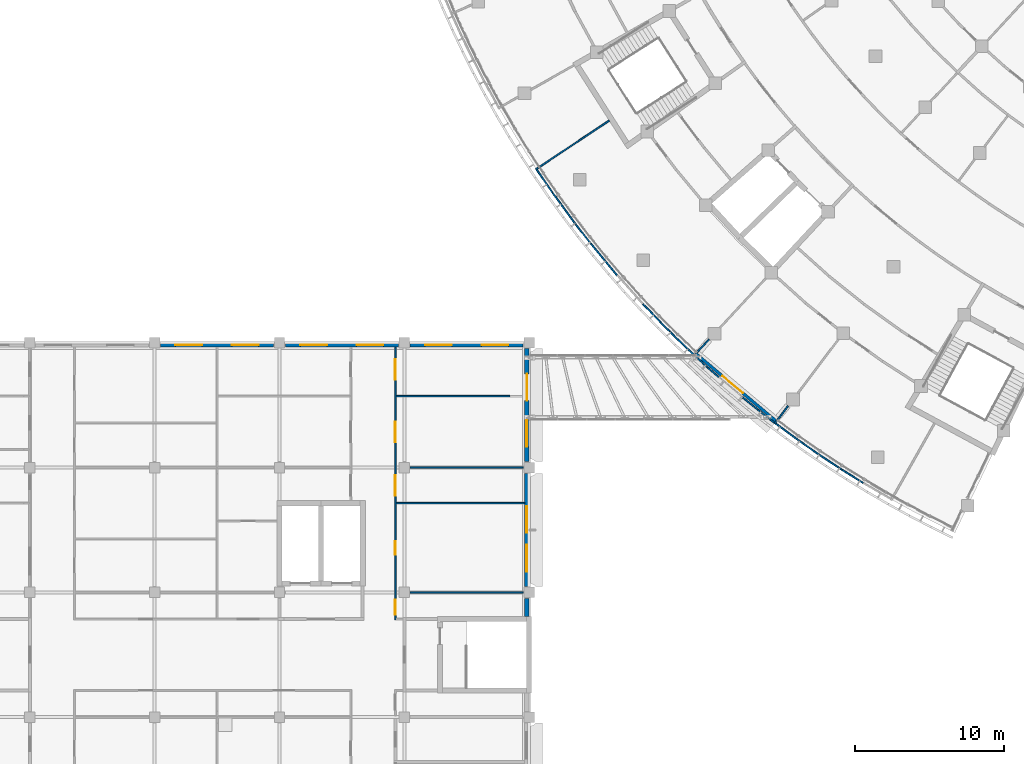
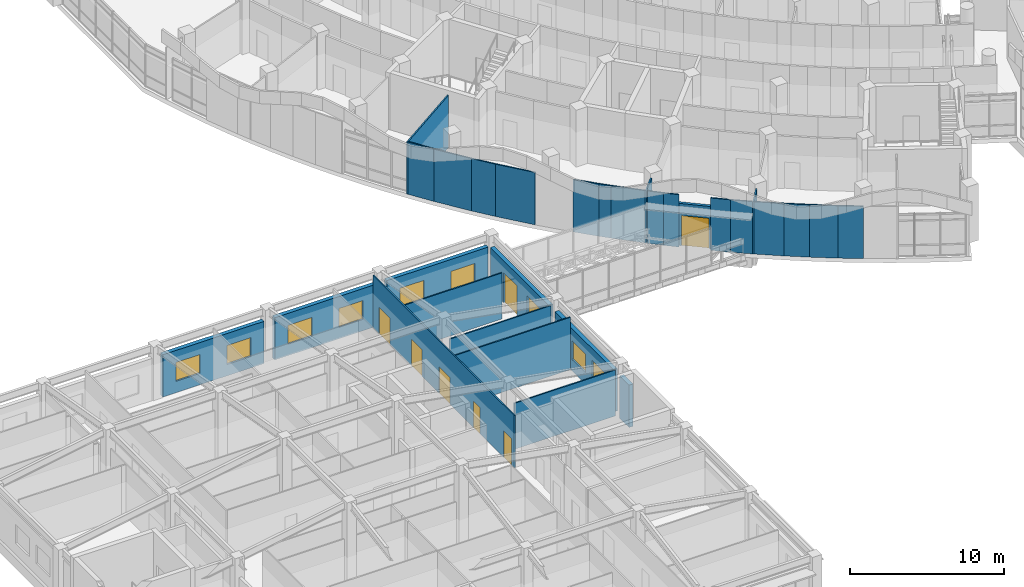
# One storey, part 59 of 136: 30 walls, 9 windows, 7 doors, 16 openings.
"""IFC4 building model written with IfcOpenShell, lengths in metres."""

from ifc_helpers import new_model, si_unit, direction, frame, frame_2d, origin, place, context, subcontext, project, spatial, rectangle, extrude, material, layer, layer_set, type_object, element, fill, save


model = new_model("IFC4")

# Units and contexts
model_context = context("Model", 3, precision=1e-05, world=origin(), true_north=direction((0.0, 1.0)))
body_context = subcontext(model_context, "Body", "Model", "MODEL_VIEW")
ifc_project = project(units=[si_unit("LENGTHUNIT", "METRE"), si_unit("AREAUNIT", "SQUARE_METRE"), si_unit("VOLUMEUNIT", "CUBIC_METRE"), si_unit("PLANEANGLEUNIT", "RADIAN"), si_unit("MASSUNIT", "GRAM", prefix="KILO")], contexts=[model_context])

# Site, building, storey
site_placement = place(None, origin())
site = spatial("IfcSite", under=ifc_project, at=site_placement, CompositionType="ELEMENT")
building_placement = place(site_placement, origin())
building = spatial("IfcBuilding", under=site, at=building_placement, Name="Bougainvillea Quay General Hospital", CompositionType="ELEMENT")
storey_placement = place(building_placement, frame((0.0, 0.0, 5.39990234375)))
storey = spatial("IfcBuildingStorey", under=building, at=storey_placement, Name="L01", CompositionType="ELEMENT", Elevation=5.39990234375)

# Wall, opening, door
ifc_material_1 = material(Name="Insulated aluminium panel cladding, anodised silver", Category="aluminium")
ifc_layer_1 = layer(ifc_material_1, 0.199951171875)
ifc_layer_set_1 = layer_set([ifc_layer_1], Name="Insulated aluminium panel cladding, anodised silver")
wall_type_1 = type_object("IfcWallType", Name="Entrance portal wall 200", PredefinedType="STANDARD", material=ifc_layer_set_1)
wall_1_placement = place(storey_placement, frame((67.0390625, 70.31005859375, 0.0), z_axis=(0.0, 0.0, 1.0), x_axis=(-0.76581638303, 0.64305930324, 0.0)))
wall_1 = element("IfcWall", 1, at=wall_1_placement, inside=storey, type_object=wall_type_1, Name="External wall wall/V6/L01/p0g1b2/00a", PredefinedType="STANDARD", context=body_context, shape_type="SweptSolid", body=[
    extrude(rectangle(XDim=7.072265625, YDim=0.199951171875, at=frame_2d((3.5361328125, 0.0))), origin(), (0.0, 0.0, 1.0), 3.35009765625),
])
opening_1_placement = place(wall_1_placement, frame((2.946044921875, 0.0, 0.0)))
opening_1 = element("IfcOpeningElement", 2, at=opening_1_placement, cuts=wall_1, Name="Opening L01.331", PredefinedType="OPENING", context=body_context, shape_type="SweptSolid", body=[
    extrude(rectangle(XDim=1.800048828125, YDim=2.39990234375, at=frame_2d((0.89990234375, 1.199951171875))), frame((0.0, 0.10986328125, 0.0), z_axis=(0.0, -1.0, 0.0), x_axis=(1.0, 0.0, 0.0)), (0.0, 0.0, 1.0), 0.219970703125),
])
ifc_material_2 = material(Name="Aluminium and glass door set", Category="aluminium")
door_type_1 = type_object("IfcDoorType", Name="Link bridge door 1800x2400", OperationType="DOUBLE_DOOR_SINGLE_SWING", PredefinedType="DOOR", material=ifc_material_2)
door_1_placement = place(opening_1_placement, origin())
door_1 = element("IfcDoor", 3, at=door_1_placement, inside=storey, type_object=door_type_1, Name="Link bridge door B2", OperationType="SINGLE_SWING_LEFT", OverallHeight=2.39990234375, OverallWidth=1.800048828125, PredefinedType="DOOR", context=body_context, shape_type="SweptSolid", body=[
    extrude(rectangle(XDim=1.800048828125, YDim=2.39990234375, at=frame_2d((0.89990234375, 1.199951171875))), frame((0.0, 0.02490234375, 0.0), z_axis=(0.0, -1.0, 0.0), x_axis=(1.0, 0.0, 0.0)), (0.0, 0.0, 1.0), 0.050048828125),
])
fill(opening_1, door_1)

# Wall, openings, windows
ifc_material_3 = material(Name="Pale stone rainscreen cladding on insulated masonry backing, pale stone", Category="masonry")
ifc_layer_2 = layer(ifc_material_3, 0.300048828125)
ifc_layer_set_2 = layer_set([ifc_layer_2], Name="Pale stone rainscreen cladding on insulated masonry backing, pale stone")
wall_type_2 = type_object("IfcWallType", Name="External wall pale stone rainscreen 300", PredefinedType="STANDARD", material=ifc_layer_set_2)
wall_2_placement = place(storey_placement, frame((50.0, 75.449951171875, 0.0), z_axis=(0.0, 0.0, 1.0), x_axis=(-1.0, 0.0, 0.0)))
wall_2 = element("IfcWall", 4, at=wall_2_placement, inside=storey, type_object=wall_type_2, Name="External wall wall/V2/L01/p0/00a", PredefinedType="STANDARD", context=body_context, shape_type="SweptSolid", body=[
    extrude(rectangle(XDim=7.60009765625, YDim=0.300048828125, at=frame_2d((3.800048828125, 0.0))), origin(), (0.0, 0.0, 1.0), 3.35009765625),
])
opening_2_placement = place(wall_2_placement, frame((1.0, 0.0, 0.89990234375)))
opening_2 = element("IfcOpeningElement", 5, at=opening_2_placement, cuts=wall_2, Name="Opening W1", PredefinedType="OPENING", context=body_context, shape_type="SweptSolid", body=[
    extrude(rectangle(XDim=1.800048828125, YDim=1.5, at=frame_2d((0.89990234375, 0.75))), frame((0.0, 0.159912109375, 0.0), z_axis=(0.0, -1.0, 0.0), x_axis=(1.0, 0.0, 0.0)), (0.0, 0.0, 1.0), 0.320068359375),
])
opening_3_placement = place(wall_2_placement, frame((4.800048828125, 0.0, 0.89990234375)))
opening_3 = element("IfcOpeningElement", 6, at=opening_3_placement, cuts=wall_2, Name="Opening W1", PredefinedType="OPENING", context=body_context, shape_type="SweptSolid", body=[
    extrude(rectangle(XDim=1.800048828125, YDim=1.5, at=frame_2d((0.89990234375, 0.75))), frame((0.0, 0.159912109375, 0.0), z_axis=(0.0, -1.0, 0.0), x_axis=(1.0, 0.0, 0.0)), (0.0, 0.0, 1.0), 0.320068359375),
])
ifc_material_4 = material(Name="Aluminium window frame with low-e double glazed unit", Category="aluminium")
window_type = type_object("IfcWindowType", Name="Window W1 1800x1500", PartitioningType="DOUBLE_PANEL_VERTICAL", PredefinedType="WINDOW", material=ifc_material_4)
window_1_placement = place(opening_2_placement, origin())
window_1 = element("IfcWindow", 7, at=window_1_placement, inside=storey, type_object=window_type, Name="Window W1 1", OverallHeight=1.5, OverallWidth=1.800048828125, PartitioningType="SINGLE_PANEL", PredefinedType="WINDOW", context=body_context, shape_type="SweptSolid", body=[
    extrude(rectangle(XDim=1.800048828125, YDim=1.5, at=frame_2d((0.89990234375, 0.75))), frame((0.0, 0.030029296875, 0.0), z_axis=(0.0, -1.0, 0.0), x_axis=(1.0, 0.0, 0.0)), (0.0, 0.0, 1.0), 0.06005859375),
])
fill(opening_2, window_1)
window_2_placement = place(opening_3_placement, origin())
window_2 = element("IfcWindow", 8, at=window_2_placement, inside=storey, type_object=window_type, Name="Window W1 2", OverallHeight=1.5, OverallWidth=1.800048828125, PartitioningType="SINGLE_PANEL", PredefinedType="WINDOW", context=body_context, shape_type="SweptSolid", body=[
    extrude(rectangle(XDim=1.800048828125, YDim=1.5, at=frame_2d((0.89990234375, 0.75))), frame((0.0, 0.030029296875, 0.0), z_axis=(0.0, -1.0, 0.0), x_axis=(1.0, 0.0, 0.0)), (0.0, 0.0, 1.0), 0.06005859375),
])
fill(opening_3, window_2)

wall_3_placement = place(storey_placement, frame((41.60009765625, 75.449951171875, 0.0), z_axis=(0.0, 0.0, 1.0), x_axis=(-1.0, 0.0, 0.0)))
wall_3 = element("IfcWall", 9, at=wall_3_placement, inside=storey, type_object=wall_type_2, Name="External wall wall/V2/L01/p0/00b", PredefinedType="STANDARD", context=body_context, shape_type="SweptSolid", body=[
    extrude(rectangle(XDim=7.60009765625, YDim=0.300048828125, at=frame_2d((3.800048828125, 0.0))), origin(), (0.0, 0.0, 1.0), 3.35009765625),
])
opening_4_placement = place(wall_3_placement, frame((1.0, 0.0, 0.89990234375)))
opening_4 = element("IfcOpeningElement", 10, at=opening_4_placement, cuts=wall_3, Name="Opening W1", PredefinedType="OPENING", context=body_context, shape_type="SweptSolid", body=[
    extrude(rectangle(XDim=1.800048828125, YDim=1.5, at=frame_2d((0.89990234375, 0.75))), frame((0.0, 0.159912109375, 0.0), z_axis=(0.0, -1.0, 0.0), x_axis=(1.0, 0.0, 0.0)), (0.0, 0.0, 1.0), 0.320068359375),
])
opening_5_placement = place(wall_3_placement, frame((4.800048828125, 0.0, 0.89990234375)))
opening_5 = element("IfcOpeningElement", 11, at=opening_5_placement, cuts=wall_3, Name="Opening W1", PredefinedType="OPENING", context=body_context, shape_type="SweptSolid", body=[
    extrude(rectangle(XDim=1.800048828125, YDim=1.5, at=frame_2d((0.89990234375, 0.75))), frame((0.0, 0.159912109375, 0.0), z_axis=(0.0, -1.0, 0.0), x_axis=(1.0, 0.0, 0.0)), (0.0, 0.0, 1.0), 0.320068359375),
])
window_3_placement = place(opening_4_placement, origin())
window_3 = element("IfcWindow", 12, at=window_3_placement, inside=storey, type_object=window_type, Name="Window W1 1", OverallHeight=1.5, OverallWidth=1.800048828125, PartitioningType="SINGLE_PANEL", PredefinedType="WINDOW", context=body_context, shape_type="SweptSolid", body=[
    extrude(rectangle(XDim=1.800048828125, YDim=1.5, at=frame_2d((0.89990234375, 0.75))), frame((0.0, 0.030029296875, 0.0), z_axis=(0.0, -1.0, 0.0), x_axis=(1.0, 0.0, 0.0)), (0.0, 0.0, 1.0), 0.06005859375),
])
fill(opening_4, window_3)
window_4_placement = place(opening_5_placement, origin())
window_4 = element("IfcWindow", 13, at=window_4_placement, inside=storey, type_object=window_type, Name="Window W1 2", OverallHeight=1.5, OverallWidth=1.800048828125, PartitioningType="SINGLE_PANEL", PredefinedType="WINDOW", context=body_context, shape_type="SweptSolid", body=[
    extrude(rectangle(XDim=1.800048828125, YDim=1.5, at=frame_2d((0.89990234375, 0.75))), frame((0.0, 0.030029296875, 0.0), z_axis=(0.0, -1.0, 0.0), x_axis=(1.0, 0.0, 0.0)), (0.0, 0.0, 1.0), 0.06005859375),
])
fill(opening_5, window_4)

wall_4_placement = place(storey_placement, frame((33.199951171875, 75.449951171875, 0.0), z_axis=(0.0, 0.0, 1.0), x_axis=(-1.0, 0.0, 0.0)))
wall_4 = element("IfcWall", 14, at=wall_4_placement, inside=storey, type_object=wall_type_2, Name="External wall wall/V2/L01/p0/00c", PredefinedType="STANDARD", context=body_context, shape_type="SweptSolid", body=[
    extrude(rectangle(XDim=7.599853515625, YDim=0.300048828125, at=frame_2d((3.7998046875, 0.0))), origin(), (0.0, 0.0, 1.0), 3.35009765625),
])
opening_6_placement = place(wall_4_placement, frame((1.0, 0.0, 0.89990234375)))
opening_6 = element("IfcOpeningElement", 15, at=opening_6_placement, cuts=wall_4, Name="Opening W1", PredefinedType="OPENING", context=body_context, shape_type="SweptSolid", body=[
    extrude(rectangle(XDim=1.800048828125, YDim=1.5, at=frame_2d((0.89990234375, 0.75))), frame((0.0, 0.159912109375, 0.0), z_axis=(0.0, -1.0, 0.0), x_axis=(1.0, 0.0, 0.0)), (0.0, 0.0, 1.0), 0.320068359375),
])
opening_7_placement = place(wall_4_placement, frame((4.800048828125, 0.0, 0.89990234375)))
opening_7 = element("IfcOpeningElement", 16, at=opening_7_placement, cuts=wall_4, Name="Opening W1", PredefinedType="OPENING", context=body_context, shape_type="SweptSolid", body=[
    extrude(rectangle(XDim=1.800048828125, YDim=1.5, at=frame_2d((0.89990234375, 0.75))), frame((0.0, 0.159912109375, 0.0), z_axis=(0.0, -1.0, 0.0), x_axis=(1.0, 0.0, 0.0)), (0.0, 0.0, 1.0), 0.320068359375),
])
window_5_placement = place(opening_6_placement, origin())
window_5 = element("IfcWindow", 17, at=window_5_placement, inside=storey, type_object=window_type, Name="Window W1 1", OverallHeight=1.5, OverallWidth=1.800048828125, PartitioningType="SINGLE_PANEL", PredefinedType="WINDOW", context=body_context, shape_type="SweptSolid", body=[
    extrude(rectangle(XDim=1.800048828125, YDim=1.5, at=frame_2d((0.89990234375, 0.75))), frame((0.0, 0.030029296875, 0.0), z_axis=(0.0, -1.0, 0.0), x_axis=(1.0, 0.0, 0.0)), (0.0, 0.0, 1.0), 0.06005859375),
])
fill(opening_6, window_5)
window_6_placement = place(opening_7_placement, origin())
window_6 = element("IfcWindow", 18, at=window_6_placement, inside=storey, type_object=window_type, Name="Window W1 2", OverallHeight=1.5, OverallWidth=1.800048828125, PartitioningType="SINGLE_PANEL", PredefinedType="WINDOW", context=body_context, shape_type="SweptSolid", body=[
    extrude(rectangle(XDim=1.800048828125, YDim=1.5, at=frame_2d((0.89990234375, 0.75))), frame((0.0, 0.030029296875, 0.0), z_axis=(0.0, -1.0, 0.0), x_axis=(1.0, 0.0, 0.0)), (0.0, 0.0, 1.0), 0.06005859375),
])
fill(opening_7, window_6)

wall_5_placement = place(storey_placement, frame((50.25, 59.199951171875, 0.0), z_axis=(0.0, 0.0, 1.0), x_axis=(0.0, 1.0, 0.0)))
wall_5 = element("IfcWall", 19, at=wall_5_placement, inside=storey, type_object=wall_type_2, Name="External wall wall/V2/L01/p0/03e", PredefinedType="STANDARD", context=body_context, shape_type="SweptSolid", body=[
    extrude(rectangle(XDim=7.60009765625, YDim=0.300048828125, at=frame_2d((3.800048828125, 0.0))), origin(), (0.0, 0.0, 1.0), 3.35009765625),
])
opening_8_placement = place(wall_5_placement, frame((1.0, 0.0, 0.89990234375)))
opening_8 = element("IfcOpeningElement", 20, at=opening_8_placement, cuts=wall_5, Name="Opening W1", PredefinedType="OPENING", context=body_context, shape_type="SweptSolid", body=[
    extrude(rectangle(XDim=1.800048828125, YDim=1.5, at=frame_2d((0.89990234375, 0.75))), frame((0.0, 0.159912109375, 0.0), z_axis=(0.0, -1.0, 0.0), x_axis=(1.0, 0.0, 0.0)), (0.0, 0.0, 1.0), 0.320068359375),
])
opening_9_placement = place(wall_5_placement, frame((3.60009765625, 0.0, 0.89990234375)))
opening_9 = element("IfcOpeningElement", 21, at=opening_9_placement, cuts=wall_5, Name="Opening W1", PredefinedType="OPENING", context=body_context, shape_type="SweptSolid", body=[
    extrude(rectangle(XDim=1.800048828125, YDim=1.5, at=frame_2d((0.89990234375, 0.75))), frame((0.0, 0.159912109375, 0.0), z_axis=(0.0, -1.0, 0.0), x_axis=(1.0, 0.0, 0.0)), (0.0, 0.0, 1.0), 0.320068359375),
])
window_7_placement = place(opening_8_placement, origin())
window_7 = element("IfcWindow", 22, at=window_7_placement, inside=storey, type_object=window_type, Name="Window W1 1", OverallHeight=1.5, OverallWidth=1.800048828125, PartitioningType="SINGLE_PANEL", PredefinedType="WINDOW", context=body_context, shape_type="SweptSolid", body=[
    extrude(rectangle(XDim=1.800048828125, YDim=1.5, at=frame_2d((0.89990234375, 0.75))), frame((0.0, 0.030029296875, 0.0), z_axis=(0.0, -1.0, 0.0), x_axis=(1.0, 0.0, 0.0)), (0.0, 0.0, 1.0), 0.06005859375),
])
fill(opening_8, window_7)
window_8_placement = place(opening_9_placement, origin())
window_8 = element("IfcWindow", 23, at=window_8_placement, inside=storey, type_object=window_type, Name="Window W1 2", OverallHeight=1.5, OverallWidth=1.800048828125, PartitioningType="SINGLE_PANEL", PredefinedType="WINDOW", context=body_context, shape_type="SweptSolid", body=[
    extrude(rectangle(XDim=1.800048828125, YDim=1.5, at=frame_2d((0.89990234375, 0.75))), frame((0.0, 0.030029296875, 0.0), z_axis=(0.0, -1.0, 0.0), x_axis=(1.0, 0.0, 0.0)), (0.0, 0.0, 1.0), 0.06005859375),
])
fill(opening_9, window_8)

# Wall, openings, door, window
wall_6_placement = place(storey_placement, frame((50.25, 67.60009765625, 0.0), z_axis=(0.0, 0.0, 1.0), x_axis=(0.0, 1.0, 0.0)))
wall_6 = element("IfcWall", 24, at=wall_6_placement, inside=storey, type_object=wall_type_2, Name="External wall wall/V2/L01/p0/03f", PredefinedType="STANDARD", context=body_context, shape_type="SweptSolid", body=[
    extrude(rectangle(XDim=7.599853515625, YDim=0.300048828125, at=frame_2d((3.7998046875, 0.0))), origin(), (0.0, 0.0, 1.0), 3.35009765625),
])
opening_10_placement = place(wall_6_placement, frame((4.10009765625, 0.0, 0.0)))
opening_10 = element("IfcOpeningElement", 25, at=opening_10_placement, cuts=wall_6, Name="Opening L01.329", PredefinedType="OPENING", context=body_context, shape_type="SweptSolid", body=[
    extrude(rectangle(XDim=1.800048828125, YDim=2.39990234375, at=frame_2d((0.89990234375, 1.199951171875))), frame((0.0, 0.159912109375, 0.0), z_axis=(0.0, -1.0, 0.0), x_axis=(1.0, 0.0, 0.0)), (0.0, 0.0, 1.0), 0.320068359375),
])
opening_11_placement = place(wall_6_placement, frame((1.0, 0.0, 0.89990234375)))
opening_11 = element("IfcOpeningElement", 26, at=opening_11_placement, cuts=wall_6, Name="Opening W1", PredefinedType="OPENING", context=body_context, shape_type="SweptSolid", body=[
    extrude(rectangle(XDim=1.800048828125, YDim=1.5, at=frame_2d((0.89990234375, 0.75))), frame((0.0, 0.159912109375, 0.0), z_axis=(0.0, -1.0, 0.0), x_axis=(1.0, 0.0, 0.0)), (0.0, 0.0, 1.0), 0.320068359375),
])
door_2_placement = place(opening_10_placement, origin())
door_2 = element("IfcDoor", 27, at=door_2_placement, inside=storey, type_object=door_type_1, Name="Link bridge door B2", OperationType="SINGLE_SWING_LEFT", OverallHeight=2.39990234375, OverallWidth=1.800048828125, PredefinedType="DOOR", context=body_context, shape_type="SweptSolid", body=[
    extrude(rectangle(XDim=1.800048828125, YDim=2.39990234375, at=frame_2d((0.89990234375, 1.199951171875))), frame((0.0, 0.02490234375, 0.0), z_axis=(0.0, -1.0, 0.0), x_axis=(1.0, 0.0, 0.0)), (0.0, 0.0, 1.0), 0.050048828125),
])
fill(opening_10, door_2)
window_9_placement = place(opening_11_placement, origin())
window_9 = element("IfcWindow", 28, at=window_9_placement, inside=storey, type_object=window_type, Name="Window W1 1", OverallHeight=1.5, OverallWidth=1.800048828125, PartitioningType="SINGLE_PANEL", PredefinedType="WINDOW", context=body_context, shape_type="SweptSolid", body=[
    extrude(rectangle(XDim=1.800048828125, YDim=1.5, at=frame_2d((0.89990234375, 0.75))), frame((0.0, 0.030029296875, 0.0), z_axis=(0.0, -1.0, 0.0), x_axis=(1.0, 0.0, 0.0)), (0.0, 0.0, 1.0), 0.06005859375),
])
fill(opening_11, window_9)

# Wall
ifc_material_5 = material(Name="Terracotta rainscreen cladding on insulated masonry backing, terracotta", Category="masonry")
ifc_layer_3 = layer(ifc_material_5, 0.300048828125)
ifc_layer_set_3 = layer_set([ifc_layer_3], Name="Terracotta rainscreen cladding on insulated masonry backing, terracotta")
wall_type_3 = type_object("IfcWallType", Name="External wall terracotta rainscreen 300", PredefinedType="STANDARD", material=ifc_layer_set_3)
wall_7_placement = place(storey_placement, frame((50.25, 57.175048828125, 0.0), z_axis=(0.0, 0.0, 1.0), x_axis=(0.0, 1.0, 0.0)))
element("IfcWall", 29, at=wall_7_placement, inside=storey, type_object=wall_type_3, Name="External wall wall/V2/L01/p0/03d", PredefinedType="STANDARD", context=body_context, shape_type="SweptSolid", body=[
    extrude(rectangle(XDim=1.224853515625, YDim=0.300048828125, at=frame_2d((0.6123046875, 0.0))), origin(), (0.0, 0.0, 1.0), 3.35009765625),
])

# Wall, openings, doors
ifc_material_6 = material(Name="Gypsum board partition on steel studs", Category="steel")
ifc_layer_4 = layer(ifc_material_6, 0.10009765625)
ifc_layer_set_4 = layer_set([ifc_layer_4], Name="Gypsum board partition on steel studs")
wall_type_4 = type_object("IfcWallType", Name="Partition 100 Gypsum board partition", PredefinedType="PARTITIONING", material=ifc_layer_set_4)
wall_8_placement = place(storey_placement, frame((41.39990234375, 75.300048828125, 0.0), z_axis=(0.0, 0.0, 1.0), x_axis=(0.0, -1.0, 0.0)))
wall_8 = element("IfcWall", 30, at=wall_8_placement, inside=storey, type_object=wall_type_4, Name="Partition 100 mm", PredefinedType="PARTITIONING", context=body_context, shape_type="SweptSolid", body=[
    extrude(rectangle(XDim=18.35009765625, YDim=0.10009765625, at=frame_2d((9.175048828125, 0.0))), origin(), (0.0, 0.0, 1.0), 4.150146484375),
])
opening_12_placement = place(wall_8_placement, frame((17.0, 0.0, 0.0)))
opening_12 = element("IfcOpeningElement", 31, at=opening_12_placement, cuts=wall_8, Name="Opening L01.092", PredefinedType="OPENING", context=body_context, shape_type="SweptSolid", body=[
    extrude(rectangle(XDim=1.0, YDim=2.10009765625, at=frame_2d((0.5, 1.050048828125))), frame((0.0, 0.06005859375, 0.0), z_axis=(0.0, -1.0, 0.0), x_axis=(1.0, 0.0, 0.0)), (0.0, 0.0, 1.0), 0.1201171875),
])
opening_13_placement = place(wall_8_placement, frame((13.050048828125, 0.0, 0.0)))
opening_13 = element("IfcOpeningElement", 32, at=opening_13_placement, cuts=wall_8, Name="Opening L01.093", PredefinedType="OPENING", context=body_context, shape_type="SweptSolid", body=[
    extrude(rectangle(XDim=0.89990234375, YDim=2.10009765625, at=frame_2d((0.449951171875, 1.050048828125))), frame((0.0, 0.06005859375, 0.0), z_axis=(0.0, -1.0, 0.0), x_axis=(1.0, 0.0, 0.0)), (0.0, 0.0, 1.0), 0.1201171875),
])
opening_14_placement = place(wall_8_placement, frame((8.60009765625, 0.0, 0.0)))
opening_14 = element("IfcOpeningElement", 33, at=opening_14_placement, cuts=wall_8, Name="Opening L01.094", PredefinedType="OPENING", context=body_context, shape_type="SweptSolid", body=[
    extrude(rectangle(XDim=1.39990234375, YDim=2.10009765625, at=frame_2d((0.699951171875, 1.050048828125))), frame((0.0, 0.06005859375, 0.0), z_axis=(0.0, -1.0, 0.0), x_axis=(1.0, 0.0, 0.0)), (0.0, 0.0, 1.0), 0.1201171875),
])
opening_15_placement = place(wall_8_placement, frame((5.0, 0.0, 0.0)))
opening_15 = element("IfcOpeningElement", 34, at=opening_15_placement, cuts=wall_8, Name="Opening L01.095", PredefinedType="OPENING", context=body_context, shape_type="SweptSolid", body=[
    extrude(rectangle(XDim=1.39990234375, YDim=2.10009765625, at=frame_2d((0.699951171875, 1.050048828125))), frame((0.0, 0.06005859375, 0.0), z_axis=(0.0, -1.0, 0.0), x_axis=(1.0, 0.0, 0.0)), (0.0, 0.0, 1.0), 0.1201171875),
])
opening_16_placement = place(wall_8_placement, frame((0.800048828125, 0.0, 0.0)))
opening_16 = element("IfcOpeningElement", 35, at=opening_16_placement, cuts=wall_8, Name="Opening L01.096", PredefinedType="OPENING", context=body_context, shape_type="SweptSolid", body=[
    extrude(rectangle(XDim=1.39990234375, YDim=2.10009765625, at=frame_2d((0.699951171875, 1.050048828125))), frame((0.0, 0.06005859375, 0.0), z_axis=(0.0, -1.0, 0.0), x_axis=(1.0, 0.0, 0.0)), (0.0, 0.0, 1.0), 0.1201171875),
])
ifc_material_7 = material(Name="Solid-core timber door leaves in steel frame", Category="steel")
door_type_2 = type_object("IfcDoorType", Name="Bed door pair 1400x2100", OperationType="DOUBLE_DOOR_SINGLE_SWING", PredefinedType="DOOR", material=ifc_material_7)
door_3_placement = place(opening_14_placement, origin())
door_3 = element("IfcDoor", 36, at=door_3_placement, inside=storey, type_object=door_type_2, Name="DT09 L01.094", OperationType="DOUBLE_DOOR_SINGLE_SWING", OverallHeight=2.10009765625, OverallWidth=1.39990234375, PredefinedType="DOOR", context=body_context, shape_type="SweptSolid", body=[
    extrude(rectangle(XDim=1.39990234375, YDim=2.10009765625, at=frame_2d((0.699951171875, 1.050048828125))), frame((0.0, 0.02490234375, 0.0), z_axis=(0.0, -1.0, 0.0), x_axis=(1.0, 0.0, 0.0)), (0.0, 0.0, 1.0), 0.050048828125),
])
fill(opening_14, door_3)
door_4_placement = place(opening_15_placement, origin())
door_4 = element("IfcDoor", 37, at=door_4_placement, inside=storey, type_object=door_type_2, Name="DT09 L01.095", OperationType="DOUBLE_DOOR_SINGLE_SWING", OverallHeight=2.10009765625, OverallWidth=1.39990234375, PredefinedType="DOOR", context=body_context, shape_type="SweptSolid", body=[
    extrude(rectangle(XDim=1.39990234375, YDim=2.10009765625, at=frame_2d((0.699951171875, 1.050048828125))), frame((0.0, 0.02490234375, 0.0), z_axis=(0.0, -1.0, 0.0), x_axis=(1.0, 0.0, 0.0)), (0.0, 0.0, 1.0), 0.050048828125),
])
fill(opening_15, door_4)
door_5_placement = place(opening_16_placement, origin())
door_5 = element("IfcDoor", 38, at=door_5_placement, inside=storey, type_object=door_type_2, Name="DT09 L01.096", OperationType="DOUBLE_DOOR_SINGLE_SWING", OverallHeight=2.10009765625, OverallWidth=1.39990234375, PredefinedType="DOOR", context=body_context, shape_type="SweptSolid", body=[
    extrude(rectangle(XDim=1.39990234375, YDim=2.10009765625, at=frame_2d((0.699951171875, 1.050048828125))), frame((0.0, 0.02490234375, 0.0), z_axis=(0.0, -1.0, 0.0), x_axis=(1.0, 0.0, 0.0)), (0.0, 0.0, 1.0), 0.050048828125),
])
fill(opening_16, door_5)
ifc_material_8 = material(Name="Solid-core timber door leaf in steel frame", Category="steel")
door_type_3 = type_object("IfcDoorType", Name="Single leaf door 1000x2100", OperationType="NOTDEFINED", PredefinedType="DOOR", material=ifc_material_8)
door_6_placement = place(opening_12_placement, origin())
door_6 = element("IfcDoor", 39, at=door_6_placement, inside=storey, type_object=door_type_3, Name="DT06 L01.092", OperationType="SINGLE_SWING_RIGHT", OverallHeight=2.10009765625, OverallWidth=1.0, PredefinedType="DOOR", context=body_context, shape_type="SweptSolid", body=[
    extrude(rectangle(XDim=1.0, YDim=2.10009765625, at=frame_2d((0.5, 1.050048828125))), frame((0.0, 0.02490234375, 0.0), z_axis=(0.0, -1.0, 0.0), x_axis=(1.0, 0.0, 0.0)), (0.0, 0.0, 1.0), 0.050048828125),
])
fill(opening_12, door_6)
door_type_4 = type_object("IfcDoorType", Name="Single leaf door 900x2100", OperationType="NOTDEFINED", PredefinedType="DOOR", material=ifc_material_8)
door_7_placement = place(opening_13_placement, origin())
door_7 = element("IfcDoor", 40, at=door_7_placement, inside=storey, type_object=door_type_4, Name="DT07 L01.093", OperationType="SINGLE_SWING_RIGHT", OverallHeight=2.10009765625, OverallWidth=0.89990234375, PredefinedType="DOOR", context=body_context, shape_type="SweptSolid", body=[
    extrude(rectangle(XDim=0.89990234375, YDim=2.10009765625, at=frame_2d((0.449951171875, 1.050048828125))), frame((0.0, 0.02490234375, 0.0), z_axis=(0.0, -1.0, 0.0), x_axis=(1.0, 0.0, 0.0)), (0.0, 0.0, 1.0), 0.050048828125),
])
fill(opening_13, door_7)

# Walls
wall_9_placement = place(storey_placement, frame((42.39990234375, 58.800048828125, 0.0), z_axis=(0.0, 0.0, 1.0), x_axis=(1.0, 0.0, 0.0)))
element("IfcWall", 41, at=wall_9_placement, inside=storey, type_object=wall_type_4, Name="Partition 100 mm", PredefinedType="PARTITIONING", context=body_context, shape_type="SweptSolid", body=[
    extrude(rectangle(XDim=7.60009765625, YDim=0.10009765625, at=frame_2d((3.800048828125, 0.0))), origin(), (0.0, 0.0, 1.0), 3.647216796875),
])
wall_10_placement = place(storey_placement, frame((41.449951171875, 64.800048828125, 0.0), z_axis=(0.0, 0.0, 1.0), x_axis=(1.0, 0.0, 0.0)))
element("IfcWall", 42, at=wall_10_placement, inside=storey, type_object=wall_type_4, Name="Partition 100 mm", PredefinedType="PARTITIONING", context=body_context, shape_type="SweptSolid", body=[
    extrude(rectangle(XDim=8.650146484375, YDim=0.10009765625, at=frame_2d((4.3251953125, 0.0))), origin(), (0.0, 0.0, 1.0), 4.150146484375),
])
wall_11_placement = place(storey_placement, frame((42.39990234375, 67.199951171875, 0.0), z_axis=(0.0, 0.0, 1.0), x_axis=(1.0, 0.0, 0.0)))
element("IfcWall", 43, at=wall_11_placement, inside=storey, type_object=wall_type_4, Name="Partition 100 mm", PredefinedType="PARTITIONING", context=body_context, shape_type="SweptSolid", body=[
    extrude(rectangle(XDim=7.60009765625, YDim=0.10009765625, at=frame_2d((3.800048828125, 0.0))), origin(), (0.0, 0.0, 1.0), 3.647216796875),
])
wall_12_placement = place(storey_placement, frame((41.449951171875, 72.0, 0.0), z_axis=(0.0, 0.0, 1.0), x_axis=(1.0, 0.0, 0.0)))
element("IfcWall", 44, at=wall_12_placement, inside=storey, type_object=wall_type_4, Name="Partition 100 mm", PredefinedType="PARTITIONING", context=body_context, shape_type="SweptSolid", body=[
    extrude(rectangle(XDim=7.650146484375, YDim=0.10009765625, at=frame_2d((3.8251953125, 0.0))), origin(), (0.0, 0.0, 1.0), 3.647216796875),
])
ifc_layer_5 = layer(ifc_material_6, 0.10009765625)
ifc_layer_set_5 = layer_set([ifc_layer_5], Name="Gypsum board partition on steel studs")
wall_type_5 = type_object("IfcWallType", Name="Partition 100 Gypsum board partition EI 30", PredefinedType="PARTITIONING", material=ifc_layer_set_5)
wall_13_placement = place(storey_placement, frame((61.48681640625, 74.719482421875, 0.0), z_axis=(0.0, 0.0, 1.0), x_axis=(0.681355821593, 0.731952351168, 0.0)))
element("IfcWall", 45, at=wall_13_placement, inside=storey, type_object=wall_type_5, Name="Partition 100 mm EI 30", PredefinedType="PARTITIONING", context=body_context, shape_type="SweptSolid", body=[
    extrude(rectangle(XDim=1.51025390625, YDim=0.10009765625, at=frame_2d((0.755126953125, 0.0))), origin(), (0.0, 0.0, 1.0), 4.150146484375),
])
wall_14_placement = place(storey_placement, frame((66.923828125, 70.150146484375, 0.0), z_axis=(0.0, 0.0, 1.0), x_axis=(0.603623668166, 0.797269381846, 0.0)))
element("IfcWall", 46, at=wall_14_placement, inside=storey, type_object=wall_type_5, Name="Partition 100 mm EI 30", PredefinedType="PARTITIONING", context=body_context, shape_type="SweptSolid", body=[
    extrude(rectangle(XDim=1.506591796875, YDim=0.10009765625, at=frame_2d((0.75341796875, 0.0))), origin(), (0.0, 0.0, 1.0), 4.150146484375),
])
wall_15_placement = place(storey_placement, frame((50.84228515625, 87.26220703125, 0.0), z_axis=(0.0, 0.0, 1.0), x_axis=(0.833066771492, 0.553172445297, 0.0)))
element("IfcWall", 47, at=wall_15_placement, inside=storey, type_object=wall_type_5, Name="Partition 100 mm EI 30", PredefinedType="PARTITIONING", context=body_context, shape_type="SweptSolid", body=[
    extrude(rectangle(XDim=5.94091796875, YDim=0.10009765625, at=frame_2d((2.970458984375, 0.0))), origin(), (0.0, 0.0, 1.0), 4.150146484375),
])
wall_16_placement = place(storey_placement, frame((54.56201171875, 82.247314453125, 0.0), z_axis=(0.0, 0.0, 1.0), x_axis=(0.640436201221, -0.768011375024, 0.0)))
element("IfcWall", 48, at=wall_16_placement, inside=storey, type_object=wall_type_5, Name="Partition 100 mm EI 30", PredefinedType="PARTITIONING", context=body_context, shape_type="SweptSolid", body=[
    extrude(rectangle(XDim=2.765380859375, YDim=0.10009765625, at=frame_2d((1.3828125, 0.0))), origin(), (0.0, 0.0, 1.0), 4.150146484375),
])
wall_17_placement = place(storey_placement, frame((51.95947265625, 85.711181640625, 0.0), z_axis=(0.0, 0.0, 1.0), x_axis=(0.591667432582, -0.806182143949, 0.0)))
element("IfcWall", 49, at=wall_17_placement, inside=storey, type_object=wall_type_5, Name="Partition 100 mm EI 30", PredefinedType="PARTITIONING", context=body_context, shape_type="SweptSolid", body=[
    extrude(rectangle(XDim=2.6826171875, YDim=0.10009765625, at=frame_2d((1.34130859375, 0.0))), origin(), (0.0, 0.0, 1.0), 4.150146484375),
])
wall_18_placement = place(storey_placement, frame((64.75634765625, 71.93896484375, 0.0), z_axis=(0.0, 0.0, 1.0), x_axis=(0.771770130419, -0.635901616441, 0.0)))
element("IfcWall", 50, at=wall_18_placement, inside=storey, type_object=wall_type_5, Name="Partition 100 mm EI 30", PredefinedType="PARTITIONING", context=body_context, shape_type="SweptSolid", body=[
    extrude(rectangle(XDim=1.32080078125, YDim=0.10009765625, at=frame_2d((0.660400390625, 0.0))), origin(), (0.0, 0.0, 1.0), 4.150146484375),
])
wall_19_placement = place(storey_placement, frame((59.848876953125, 76.361572265625, 0.0), z_axis=(0.0, 0.0, 1.0), x_axis=(0.721335676567, -0.692585620492, 0.0)))
element("IfcWall", 51, at=wall_19_placement, inside=storey, type_object=wall_type_5, Name="Partition 100 mm EI 30", PredefinedType="PARTITIONING", context=body_context, shape_type="SweptSolid", body=[
    extrude(rectangle(XDim=2.267333984375, YDim=0.10009765625, at=frame_2d((1.1337890625, 0.0))), origin(), (0.0, 0.0, 1.0), 4.150146484375),
])
wall_20_placement = place(storey_placement, frame((50.91259765625, 87.248291015625, 0.0), z_axis=(0.0, 0.0, 1.0), x_axis=(0.563658336128, -0.826008038771, 0.0)))
element("IfcWall", 52, at=wall_20_placement, inside=storey, type_object=wall_type_5, Name="Partition 100 mm EI 30", PredefinedType="PARTITIONING", context=body_context, shape_type="SweptSolid", body=[
    extrude(rectangle(XDim=1.861083984375, YDim=0.10009765625, at=frame_2d((0.9306640625, 0.0))), origin(), (0.0, 0.0, 1.0), 4.150146484375),
])
wall_21_placement = place(storey_placement, frame((66.994873046875, 70.159912109375, 0.0), z_axis=(0.0, 0.0, 1.0), x_axis=(0.805218695453, -0.592977952788, 0.0)))
element("IfcWall", 53, at=wall_21_placement, inside=storey, type_object=wall_type_5, Name="Partition 100 mm EI 30", PredefinedType="PARTITIONING", context=body_context, shape_type="SweptSolid", body=[
    extrude(rectangle(XDim=1.958984375, YDim=0.10009765625, at=frame_2d((0.9794921875, 0.0))), origin(), (0.0, 0.0, 1.0), 4.150146484375),
])
wall_22_placement = place(storey_placement, frame((62.393310546875, 73.955810546875, 0.0), z_axis=(0.0, 0.0, 1.0), x_axis=(0.752531565157, -0.658556180931, 0.0)))
element("IfcWall", 54, at=wall_22_placement, inside=storey, type_object=wall_type_5, Name="Partition 100 mm EI 30", PredefinedType="PARTITIONING", context=body_context, shape_type="SweptSolid", body=[
    extrude(rectangle(XDim=1.00537109375, YDim=0.10009765625, at=frame_2d((0.502685546875, 0.0))), origin(), (0.0, 0.0, 1.0), 4.150146484375),
])
wall_23_placement = place(storey_placement, frame((53.546875, 83.55078125, 0.0), z_axis=(0.0, 0.0, 1.0), x_axis=(0.615268617412, -0.788317530205, 0.0)))
element("IfcWall", 55, at=wall_23_placement, inside=storey, type_object=wall_type_5, Name="Partition 100 mm EI 30", PredefinedType="PARTITIONING", context=body_context, shape_type="SweptSolid", body=[
    extrude(rectangle(XDim=1.653564453125, YDim=0.10009765625, at=frame_2d((0.82666015625, 0.0))), origin(), (0.0, 0.0, 1.0), 4.150146484375),
])
wall_24_placement = place(storey_placement, frame((58.0625, 78.204833984375, 0.0), z_axis=(0.0, 0.0, 1.0), x_axis=(0.691314467962, -0.722554016242, 0.0)))
element("IfcWall", 56, at=wall_24_placement, inside=storey, type_object=wall_type_5, Name="Partition 100 mm EI 30", PredefinedType="PARTITIONING", context=body_context, shape_type="SweptSolid", body=[
    extrude(rectangle(XDim=1.75048828125, YDim=0.10009765625, at=frame_2d((0.875244140625, 0.0))), origin(), (0.0, 0.0, 1.0), 4.150146484375),
])
wall_25_placement = place(storey_placement, frame((69.92626953125, 68.0576171875, 0.0), z_axis=(0.0, 0.0, 1.0), x_axis=(0.834762349, -0.55061040736, 0.0)))
element("IfcWall", 57, at=wall_25_placement, inside=storey, type_object=wall_type_5, Name="Partition 100 mm EI 30", PredefinedType="PARTITIONING", context=body_context, shape_type="SweptSolid", body=[
    extrude(rectangle(XDim=1.848876953125, YDim=0.10009765625, at=frame_2d((0.92431640625, 0.0))), origin(), (0.0, 0.0, 1.0), 4.150146484375),
])
for number, where, z_axis, x_axis, name in (
    (58, (68.572021484375, 69.000244140625, 0.0), (0.0, 0.0, 1.0), (0.821158255206, -0.570700551872, 0.0), "Partition 100 mm EI 30"),
    (59, (71.469482421875, 67.041259765625, 0.0), (0.0, 0.0, 1.0), (0.848628949845, -0.528988568388, 0.0), "Partition 100 mm EI 30"),
):
    element("IfcWall", number, at=place(storey_placement, frame(where, z_axis=z_axis, x_axis=x_axis)), inside=storey, type_object=wall_type_5, Name=name, PredefinedType="PARTITIONING", context=body_context, shape_type="SweptSolid", body=[
        extrude(rectangle(XDim=1.6513671875, YDim=0.10009765625, at=frame_2d((0.82568359375, 0.0))), origin(), (0.0, 0.0, 1.0), 4.150146484375),
    ])
wall_26_placement = place(storey_placement, frame((65.775390625, 71.101318359375, 0.0), z_axis=(0.0, 0.0, 1.0), x_axis=(0.791104752981, -0.611680692691, 0.0)))
element("IfcWall", 60, at=wall_26_placement, inside=storey, type_object=wall_type_5, Name="Partition 100 mm EI 30", PredefinedType="PARTITIONING", context=body_context, shape_type="SweptSolid", body=[
    extrude(rectangle(XDim=1.43017578125, YDim=0.10009765625, at=frame_2d((0.715087890625, 0.0))), origin(), (0.0, 0.0, 1.0), 4.150146484375),
])
wall_27_placement = place(storey_placement, frame((61.611572265625, 74.673095703125, 0.0), z_axis=(0.0, 0.0, 1.0), x_axis=(0.737678733844, -0.675151898193, 0.0)))
element("IfcWall", 61, at=wall_27_placement, inside=storey, type_object=wall_type_5, Name="Partition 100 mm EI 30", PredefinedType="PARTITIONING", context=body_context, shape_type="SweptSolid", body=[
    extrude(rectangle(XDim=1.06201171875, YDim=0.10009765625, at=frame_2d((0.531005859375, 0.0))), origin(), (0.0, 0.0, 1.0), 4.150146484375),
])
wall_28_placement = place(storey_placement, frame((59.272705078125, 76.94140625, 0.0), z_axis=(0.0, 0.0, 1.0), x_axis=(0.705912346609, -0.708299201542, 0.0)))
element("IfcWall", 62, at=wall_28_placement, inside=storey, type_object=wall_type_5, Name="Partition 100 mm EI 30", PredefinedType="PARTITIONING", context=body_context, shape_type="SweptSolid", body=[
    extrude(rectangle(XDim=0.818359375, YDim=0.10009765625, at=frame_2d((0.4091796875, 0.0))), origin(), (0.0, 0.0, 1.0), 4.150146484375),
])

save(model, "model.ifc")
